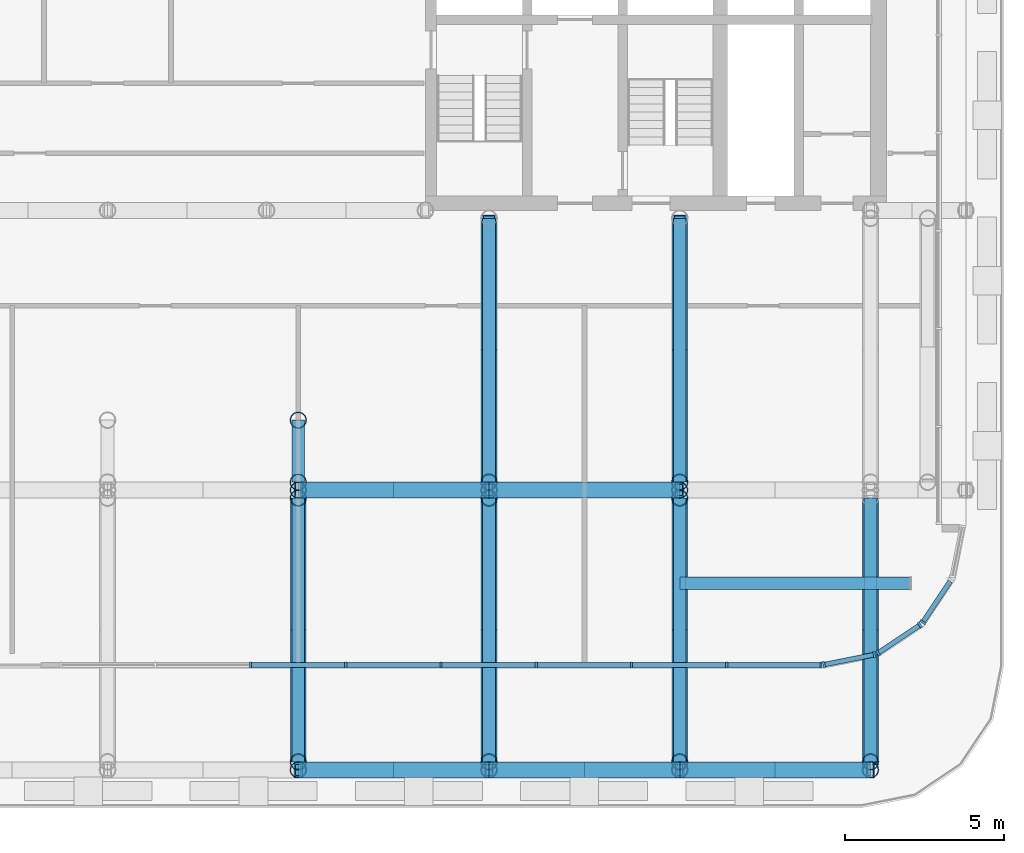
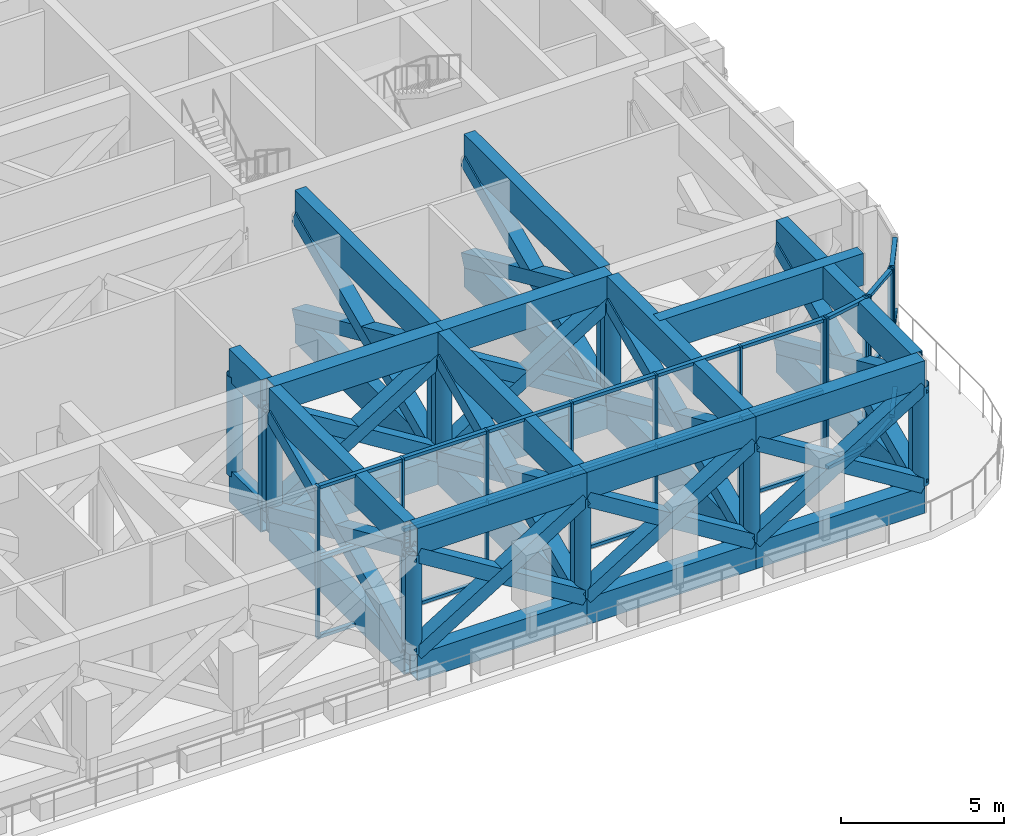
# One storey, part 4 of 20: 79 members, 25 beams, 4 elements without a shape of their own.
"""IFC4 building model written with IfcOpenShell, lengths in metres."""

from ifc_helpers import new_model, si_unit, direction, frame, origin, origin_2d, place, context, subcontext, project, spatial, rectangle, hollow_rectangle, hollow_circle, extrude, material, layer, layer_set, material_profile, profile_set, type_object, element, aggregate, save


model = new_model("IFC4")

# Units and contexts
model_context = context("Model", 3, precision=1e-05, world=origin(), true_north=direction((0.0, 1.0)))
body_context = subcontext(model_context, "Body", "Model", "MODEL_VIEW")
ifc_project = project(units=[si_unit("LENGTHUNIT", "METRE"), si_unit("AREAUNIT", "SQUARE_METRE"), si_unit("VOLUMEUNIT", "CUBIC_METRE"), si_unit("PLANEANGLEUNIT", "RADIAN"), si_unit("MASSUNIT", "GRAM", prefix="KILO")], contexts=[model_context])

# Site, building, storey
site_placement = place(None, origin())
site = spatial("IfcSite", under=ifc_project, at=site_placement, CompositionType="ELEMENT")
building_placement = place(site_placement, origin())
building = spatial("IfcBuilding", under=site, at=building_placement, Name="Torana Hotel and Residences", CompositionType="ELEMENT")
storey_placement = place(building_placement, frame((0.0, 0.0, 177.60009765625)))
storey = spatial("IfcBuildingStorey", under=building, at=storey_placement, Name="L46", CompositionType="ELEMENT", Elevation=177.60009765625)

# Curtain wall, members
ifc_material_1 = material(Name="Dark anodised aluminium", Category="aluminium")
ifc_layer = layer(ifc_material_1, 0.199951171875)
ifc_layer_set = layer_set([ifc_layer], Name="CW2 SKY LOBBY UNITISED CURTAIN WALL")
curtain_wall_type = type_object("IfcCurtainWallType", Name="CW2 SKY LOBBY UNITISED CURTAIN WALL", PredefinedType="NOTDEFINED", material=ifc_layer_set)
curtain_wall_1_placement = place(storey_placement, origin())
curtain_wall_1 = element("IfcCurtainWall", 1, at=curtain_wall_1_placement, inside=storey, type_object=curtain_wall_type, Name="Curtain wall CW2 L46 e0.14-2", PredefinedType="NOTDEFINED")
ifc_material_2 = material(Name="Dark anodised aluminium", Category="aluminium")
ifc_material_profile_1 = material_profile(ifc_material_2, rectangle(XDim=0.199951171875, YDim=0.070068359375, at=origin_2d()), Name="CW2 MULLION 70x200")
ifc_profile_set_1 = profile_set([ifc_material_profile_1], Name="Dark anodised aluminium")
member_type_1 = type_object("IfcMemberType", Name="CW2 MULLION 70x200", PredefinedType="MULLION", material=ifc_profile_set_1)
member_1_placement = place(storey_placement, frame((4.4951171875, -29.300048828125, 0.0), z_axis=(0.0, 0.0, 1.0), x_axis=(0.0, 1.0, 0.0)))
member_1 = element("IfcMember", 2, at=member_1_placement, type_object=member_type_1, Name="CW2 mullion 3", PredefinedType="MULLION", context=body_context, shape_type="SweptSolid", body=[
    extrude(rectangle(XDim=0.199951171875, YDim=0.070068359375, at=origin_2d()), origin(), (0.0, 0.0, 1.0), 5.719970703125),
])
member_2_placement = place(storey_placement, frame((7.49169921875, -29.300048828125, 0.0), z_axis=(0.0, 0.0, 1.0), x_axis=(0.0, 1.0, 0.0)))
member_2 = element("IfcMember", 3, at=member_2_placement, type_object=member_type_1, Name="CW2 mullion 4", PredefinedType="MULLION", context=body_context, shape_type="SweptSolid", body=[
    extrude(rectangle(XDim=0.199951171875, YDim=0.070068359375, at=origin_2d()), origin(), (0.0, 0.0, 1.0), 5.719970703125),
])
member_3_placement = place(storey_placement, frame((10.488525390625, -29.300048828125, 0.0), z_axis=(0.0, 0.0, 1.0), x_axis=(0.0, 1.0, 0.0)))
member_3 = element("IfcMember", 4, at=member_3_placement, type_object=member_type_1, Name="CW2 mullion 5", PredefinedType="MULLION", context=body_context, shape_type="SweptSolid", body=[
    extrude(rectangle(XDim=0.199951171875, YDim=0.070068359375, at=origin_2d()), origin(), (0.0, 0.0, 1.0), 5.719970703125),
])
member_4_placement = place(storey_placement, frame((13.485107421875, -29.300048828125, 0.0), z_axis=(0.0, 0.0, 1.0), x_axis=(0.0, 1.0, 0.0)))
member_4 = element("IfcMember", 5, at=member_4_placement, type_object=member_type_1, Name="CW2 mullion 6", PredefinedType="MULLION", context=body_context, shape_type="SweptSolid", body=[
    extrude(rectangle(XDim=0.199951171875, YDim=0.070068359375, at=origin_2d()), origin(), (0.0, 0.0, 1.0), 5.719970703125),
])
member_5_placement = place(storey_placement, frame((16.48193359375, -29.300048828125, 0.0), z_axis=(0.0, 0.0, 1.0), x_axis=(0.0, 1.0, 0.0)))
member_5 = element("IfcMember", 6, at=member_5_placement, type_object=member_type_1, Name="CW2 mullion 7", PredefinedType="MULLION", context=body_context, shape_type="SweptSolid", body=[
    extrude(rectangle(XDim=0.199951171875, YDim=0.070068359375, at=origin_2d()), origin(), (0.0, 0.0, 1.0), 5.719970703125),
])
member_6_placement = place(storey_placement, frame((19.478759765625, -29.300048828125, 0.0), z_axis=(0.0, 0.0, 1.0), x_axis=(0.0, 1.0, 0.0)))
member_6 = element("IfcMember", 7, at=member_6_placement, type_object=member_type_1, Name="CW2 mullion 8", PredefinedType="MULLION", context=body_context, shape_type="SweptSolid", body=[
    extrude(rectangle(XDim=0.199951171875, YDim=0.070068359375, at=origin_2d()), origin(), (0.0, 0.0, 1.0), 5.719970703125),
])
member_7_placement = place(storey_placement, frame((22.4404296875, -29.300048828125, 0.0), z_axis=(0.0, 0.0, 1.0), x_axis=(0.0, 1.0, 0.0)))
member_7 = element("IfcMember", 8, at=member_7_placement, type_object=member_type_1, Name="CW2 mullion 9", PredefinedType="MULLION", context=body_context, shape_type="SweptSolid", body=[
    extrude(rectangle(XDim=0.199951171875, YDim=0.070068359375, at=origin_2d()), origin(), (0.0, 0.0, 1.0), 5.719970703125),
])

curtain_wall_2_placement = place(storey_placement, origin())
curtain_wall_2 = element("IfcCurtainWall", 9, at=curtain_wall_2_placement, inside=storey, type_object=curtain_wall_type, Name="Curtain wall CW2 L46 e0.15-1", PredefinedType="NOTDEFINED")
member_8_placement = place(storey_placement, frame((22.538818359375, -29.290283203125, 0.0), z_axis=(0.0, 0.0, 1.0), x_axis=(-0.195063848566, 0.980790545928, 0.0)))
member_8 = element("IfcMember", 10, at=member_8_placement, type_object=member_type_1, Name="CW2 mullion 1", PredefinedType="MULLION", context=body_context, shape_type="SweptSolid", body=[
    extrude(rectangle(XDim=0.199951171875, YDim=0.070068359375, at=origin_2d()), origin(), (0.0, 0.0, 1.0), 5.719970703125),
])
member_9_placement = place(storey_placement, frame((24.119384765625, -28.975830078125, 0.0), z_axis=(0.0, 0.0, 1.0), x_axis=(-0.195063848566, 0.980790545928, 0.0)))
member_9 = element("IfcMember", 11, at=member_9_placement, type_object=member_type_1, Name="CW2 mullion 2", PredefinedType="MULLION", context=body_context, shape_type="SweptSolid", body=[
    extrude(rectangle(XDim=0.199951171875, YDim=0.070068359375, at=origin_2d()), origin(), (0.0, 0.0, 1.0), 5.719970703125),
])

curtain_wall_3_placement = place(storey_placement, origin())
curtain_wall_3 = element("IfcCurtainWall", 12, at=curtain_wall_3_placement, inside=storey, type_object=curtain_wall_type, Name="Curtain wall CW2 L46 e0.16-1", PredefinedType="NOTDEFINED")
member_10_placement = place(storey_placement, frame((24.237060546875, -28.92724609375, 0.0), z_axis=(0.0, 0.0, 1.0), x_axis=(-0.555563713278, 0.831473968618, 0.0)))
member_10 = element("IfcMember", 13, at=member_10_placement, type_object=member_type_1, Name="CW2 mullion 1", PredefinedType="MULLION", context=body_context, shape_type="SweptSolid", body=[
    extrude(rectangle(XDim=0.199951171875, YDim=0.070068359375, at=origin_2d()), origin(), (0.0, 0.0, 1.0), 5.719970703125),
])
member_11_placement = place(storey_placement, frame((25.555908203125, -28.0458984375, 0.0), z_axis=(0.0, 0.0, 1.0), x_axis=(-0.555563713278, 0.831473968618, 0.0)))
member_11 = element("IfcMember", 14, at=member_11_placement, type_object=member_type_1, Name="CW2 mullion 2", PredefinedType="MULLION", context=body_context, shape_type="SweptSolid", body=[
    extrude(rectangle(XDim=0.199951171875, YDim=0.070068359375, at=origin_2d()), origin(), (0.0, 0.0, 1.0), 5.719970703125),
])

# Curtain wall, member
curtain_wall_4_placement = place(storey_placement, origin())
curtain_wall_4 = element("IfcCurtainWall", 15, at=curtain_wall_4_placement, inside=storey, type_object=curtain_wall_type, Name="Curtain wall CW2 L46 e0.17-1", PredefinedType="NOTDEFINED")
member_12_placement = place(storey_placement, frame((25.64599609375, -27.9560546875, 0.0), z_axis=(0.0, 0.0, 1.0), x_axis=(-0.831473968618, 0.555563713278, 0.0)))
member_12 = element("IfcMember", 16, at=member_12_placement, type_object=member_type_1, Name="CW2 mullion 1", PredefinedType="MULLION", context=body_context, shape_type="SweptSolid", body=[
    extrude(rectangle(XDim=0.199951171875, YDim=0.070068359375, at=origin_2d()), origin(), (0.0, 0.0, 1.0), 5.719970703125),
])

# Member
ifc_material_3 = material(Name="Dark anodised aluminium", Category="aluminium")
ifc_material_profile_2 = material_profile(ifc_material_3, rectangle(XDim=0.14990234375, YDim=0.1201171875, at=origin_2d()), Name="CW2 TRANSOM 150x120")
ifc_profile_set_2 = profile_set([ifc_material_profile_2], Name="Dark anodised aluminium")
member_type_2 = type_object("IfcMemberType", Name="CW2 TRANSOM 150x120", PredefinedType="USERDEFINED", material=ifc_profile_set_2)
member_13_placement = place(storey_placement, frame((4.530029296875, -29.300048828125, 0.059814453125), z_axis=(1.0, 0.0, 0.0), x_axis=(0.0, 1.0, 0.0)))
member_13 = element("IfcMember", 17, at=member_13_placement, type_object=member_type_2, Name="CW2 transom 3.1", ObjectType="TRANSOM", PredefinedType="USERDEFINED", context=body_context, shape_type="SweptSolid", body=[
    extrude(rectangle(XDim=0.14990234375, YDim=0.1201171875, at=origin_2d()), origin(), (0.0, 0.0, 1.0), 2.9267578125),
])

member_14_placement = place(storey_placement, frame((4.530029296875, -29.300048828125, 3.0), z_axis=(1.0, 0.0, 0.0), x_axis=(0.0, 1.0, 0.0)))
member_14 = element("IfcMember", 18, at=member_14_placement, type_object=member_type_2, Name="CW2 transom 3.2", ObjectType="TRANSOM", PredefinedType="USERDEFINED", context=body_context, shape_type="SweptSolid", body=[
    extrude(rectangle(XDim=0.14990234375, YDim=0.1201171875, at=origin_2d()), origin(), (0.0, 0.0, 1.0), 2.9267578125),
])

member_15_placement = place(storey_placement, frame((4.530029296875, -29.300048828125, 5.659912109375), z_axis=(1.0, 0.0, 0.0), x_axis=(0.0, 1.0, 0.0)))
member_15 = element("IfcMember", 19, at=member_15_placement, type_object=member_type_2, Name="CW2 transom 3.3", ObjectType="TRANSOM", PredefinedType="USERDEFINED", context=body_context, shape_type="SweptSolid", body=[
    extrude(rectangle(XDim=0.14990234375, YDim=0.1201171875, at=origin_2d()), origin(), (0.0, 0.0, 1.0), 2.9267578125),
])

member_16_placement = place(storey_placement, frame((7.52685546875, -29.300048828125, 0.059814453125), z_axis=(1.0, 0.0, 0.0), x_axis=(0.0, 1.0, 0.0)))
member_16 = element("IfcMember", 20, at=member_16_placement, type_object=member_type_2, Name="CW2 transom 4.1", ObjectType="TRANSOM", PredefinedType="USERDEFINED", context=body_context, shape_type="SweptSolid", body=[
    extrude(rectangle(XDim=0.14990234375, YDim=0.1201171875, at=origin_2d()), origin(), (0.0, 0.0, 1.0), 2.9267578125),
])

member_17_placement = place(storey_placement, frame((7.52685546875, -29.300048828125, 3.0), z_axis=(1.0, 0.0, 0.0), x_axis=(0.0, 1.0, 0.0)))
member_17 = element("IfcMember", 21, at=member_17_placement, type_object=member_type_2, Name="CW2 transom 4.2", ObjectType="TRANSOM", PredefinedType="USERDEFINED", context=body_context, shape_type="SweptSolid", body=[
    extrude(rectangle(XDim=0.14990234375, YDim=0.1201171875, at=origin_2d()), origin(), (0.0, 0.0, 1.0), 2.9267578125),
])

member_18_placement = place(storey_placement, frame((7.52685546875, -29.300048828125, 5.659912109375), z_axis=(1.0, 0.0, 0.0), x_axis=(0.0, 1.0, 0.0)))
member_18 = element("IfcMember", 22, at=member_18_placement, type_object=member_type_2, Name="CW2 transom 4.3", ObjectType="TRANSOM", PredefinedType="USERDEFINED", context=body_context, shape_type="SweptSolid", body=[
    extrude(rectangle(XDim=0.14990234375, YDim=0.1201171875, at=origin_2d()), origin(), (0.0, 0.0, 1.0), 2.9267578125),
])

member_19_placement = place(storey_placement, frame((10.5234375, -29.300048828125, 0.059814453125), z_axis=(1.0, 0.0, 0.0), x_axis=(0.0, 1.0, 0.0)))
member_19 = element("IfcMember", 23, at=member_19_placement, type_object=member_type_2, Name="CW2 transom 5.1", ObjectType="TRANSOM", PredefinedType="USERDEFINED", context=body_context, shape_type="SweptSolid", body=[
    extrude(rectangle(XDim=0.14990234375, YDim=0.1201171875, at=origin_2d()), origin(), (0.0, 0.0, 1.0), 2.9267578125),
])

member_20_placement = place(storey_placement, frame((10.5234375, -29.300048828125, 3.0), z_axis=(1.0, 0.0, 0.0), x_axis=(0.0, 1.0, 0.0)))
member_20 = element("IfcMember", 24, at=member_20_placement, type_object=member_type_2, Name="CW2 transom 5.2", ObjectType="TRANSOM", PredefinedType="USERDEFINED", context=body_context, shape_type="SweptSolid", body=[
    extrude(rectangle(XDim=0.14990234375, YDim=0.1201171875, at=origin_2d()), origin(), (0.0, 0.0, 1.0), 2.9267578125),
])

member_21_placement = place(storey_placement, frame((10.5234375, -29.300048828125, 5.659912109375), z_axis=(1.0, 0.0, 0.0), x_axis=(0.0, 1.0, 0.0)))
member_21 = element("IfcMember", 25, at=member_21_placement, type_object=member_type_2, Name="CW2 transom 5.3", ObjectType="TRANSOM", PredefinedType="USERDEFINED", context=body_context, shape_type="SweptSolid", body=[
    extrude(rectangle(XDim=0.14990234375, YDim=0.1201171875, at=origin_2d()), origin(), (0.0, 0.0, 1.0), 2.9267578125),
])

member_22_placement = place(storey_placement, frame((13.520263671875, -29.300048828125, 0.059814453125), z_axis=(1.0, 0.0, 0.0), x_axis=(0.0, 1.0, 0.0)))
member_22 = element("IfcMember", 26, at=member_22_placement, type_object=member_type_2, Name="CW2 transom 6.1", ObjectType="TRANSOM", PredefinedType="USERDEFINED", context=body_context, shape_type="SweptSolid", body=[
    extrude(rectangle(XDim=0.14990234375, YDim=0.1201171875, at=origin_2d()), origin(), (0.0, 0.0, 1.0), 2.9267578125),
])

member_23_placement = place(storey_placement, frame((13.520263671875, -29.300048828125, 3.0), z_axis=(1.0, 0.0, 0.0), x_axis=(0.0, 1.0, 0.0)))
member_23 = element("IfcMember", 27, at=member_23_placement, type_object=member_type_2, Name="CW2 transom 6.2", ObjectType="TRANSOM", PredefinedType="USERDEFINED", context=body_context, shape_type="SweptSolid", body=[
    extrude(rectangle(XDim=0.14990234375, YDim=0.1201171875, at=origin_2d()), origin(), (0.0, 0.0, 1.0), 2.9267578125),
])

member_24_placement = place(storey_placement, frame((13.520263671875, -29.300048828125, 5.659912109375), z_axis=(1.0, 0.0, 0.0), x_axis=(0.0, 1.0, 0.0)))
member_24 = element("IfcMember", 28, at=member_24_placement, type_object=member_type_2, Name="CW2 transom 6.3", ObjectType="TRANSOM", PredefinedType="USERDEFINED", context=body_context, shape_type="SweptSolid", body=[
    extrude(rectangle(XDim=0.14990234375, YDim=0.1201171875, at=origin_2d()), origin(), (0.0, 0.0, 1.0), 2.9267578125),
])

member_25_placement = place(storey_placement, frame((16.516845703125, -29.300048828125, 0.059814453125), z_axis=(1.0, 0.0, 0.0), x_axis=(0.0, 1.0, 0.0)))
member_25 = element("IfcMember", 29, at=member_25_placement, type_object=member_type_2, Name="CW2 transom 7.1", ObjectType="TRANSOM", PredefinedType="USERDEFINED", context=body_context, shape_type="SweptSolid", body=[
    extrude(rectangle(XDim=0.14990234375, YDim=0.1201171875, at=origin_2d()), origin(), (0.0, 0.0, 1.0), 2.9267578125),
])

member_26_placement = place(storey_placement, frame((16.516845703125, -29.300048828125, 3.0), z_axis=(1.0, 0.0, 0.0), x_axis=(0.0, 1.0, 0.0)))
member_26 = element("IfcMember", 30, at=member_26_placement, type_object=member_type_2, Name="CW2 transom 7.2", ObjectType="TRANSOM", PredefinedType="USERDEFINED", context=body_context, shape_type="SweptSolid", body=[
    extrude(rectangle(XDim=0.14990234375, YDim=0.1201171875, at=origin_2d()), origin(), (0.0, 0.0, 1.0), 2.9267578125),
])

member_27_placement = place(storey_placement, frame((16.516845703125, -29.300048828125, 5.659912109375), z_axis=(1.0, 0.0, 0.0), x_axis=(0.0, 1.0, 0.0)))
member_27 = element("IfcMember", 31, at=member_27_placement, type_object=member_type_2, Name="CW2 transom 7.3", ObjectType="TRANSOM", PredefinedType="USERDEFINED", context=body_context, shape_type="SweptSolid", body=[
    extrude(rectangle(XDim=0.14990234375, YDim=0.1201171875, at=origin_2d()), origin(), (0.0, 0.0, 1.0), 2.9267578125),
])

member_28_placement = place(storey_placement, frame((19.513671875, -29.300048828125, 0.059814453125), z_axis=(1.0, 0.0, 0.0), x_axis=(0.0, 1.0, 0.0)))
member_28 = element("IfcMember", 32, at=member_28_placement, type_object=member_type_2, Name="CW2 transom 8.1", ObjectType="TRANSOM", PredefinedType="USERDEFINED", context=body_context, shape_type="SweptSolid", body=[
    extrude(rectangle(XDim=0.14990234375, YDim=0.1201171875, at=origin_2d()), origin(), (0.0, 0.0, 1.0), 2.891845703125),
])

member_29_placement = place(storey_placement, frame((19.513671875, -29.300048828125, 3.0), z_axis=(1.0, 0.0, 0.0), x_axis=(0.0, 1.0, 0.0)))
member_29 = element("IfcMember", 33, at=member_29_placement, type_object=member_type_2, Name="CW2 transom 8.2", ObjectType="TRANSOM", PredefinedType="USERDEFINED", context=body_context, shape_type="SweptSolid", body=[
    extrude(rectangle(XDim=0.14990234375, YDim=0.1201171875, at=origin_2d()), origin(), (0.0, 0.0, 1.0), 2.891845703125),
])

member_30_placement = place(storey_placement, frame((19.513671875, -29.300048828125, 5.659912109375), z_axis=(1.0, 0.0, 0.0), x_axis=(0.0, 1.0, 0.0)))
member_30 = element("IfcMember", 34, at=member_30_placement, type_object=member_type_2, Name="CW2 transom 8.3", ObjectType="TRANSOM", PredefinedType="USERDEFINED", context=body_context, shape_type="SweptSolid", body=[
    extrude(rectangle(XDim=0.14990234375, YDim=0.1201171875, at=origin_2d()), origin(), (0.0, 0.0, 1.0), 2.891845703125),
])

aggregate(curtain_wall_1, [member_1, member_2, member_3, member_4, member_5, member_6, member_7, member_13, member_14, member_15, member_16, member_17, member_18, member_19, member_20, member_21, member_22, member_23, member_24, member_25, member_26, member_27, member_28, member_29, member_30])

member_31_placement = place(storey_placement, frame((22.5732421875, -29.283447265625, 0.059814453125), z_axis=(0.980781167848, 0.19511099609, 0.0), x_axis=(-0.19511099609, 0.980781167848, 0.0)))
member_31 = element("IfcMember", 35, at=member_31_placement, type_object=member_type_2, Name="CW2 transom 1.1", ObjectType="TRANSOM", PredefinedType="USERDEFINED", context=body_context, shape_type="SweptSolid", body=[
    extrude(rectangle(XDim=0.14990234375, YDim=0.1201171875, at=origin_2d()), origin(), (0.0, 0.0, 1.0), 1.54150390625),
])

member_32_placement = place(storey_placement, frame((22.5732421875, -29.283447265625, 3.0), z_axis=(0.980781167848, 0.19511099609, 0.0), x_axis=(-0.19511099609, 0.980781167848, 0.0)))
member_32 = element("IfcMember", 36, at=member_32_placement, type_object=member_type_2, Name="CW2 transom 1.2", ObjectType="TRANSOM", PredefinedType="USERDEFINED", context=body_context, shape_type="SweptSolid", body=[
    extrude(rectangle(XDim=0.14990234375, YDim=0.1201171875, at=origin_2d()), origin(), (0.0, 0.0, 1.0), 1.54150390625),
])

member_33_placement = place(storey_placement, frame((22.5732421875, -29.283447265625, 5.659912109375), z_axis=(0.980781167848, 0.19511099609, 0.0), x_axis=(-0.19511099609, 0.980781167848, 0.0)))
member_33 = element("IfcMember", 37, at=member_33_placement, type_object=member_type_2, Name="CW2 transom 1.3", ObjectType="TRANSOM", PredefinedType="USERDEFINED", context=body_context, shape_type="SweptSolid", body=[
    extrude(rectangle(XDim=0.14990234375, YDim=0.1201171875, at=origin_2d()), origin(), (0.0, 0.0, 1.0), 1.54150390625),
])

aggregate(curtain_wall_2, [member_8, member_9, member_31, member_32, member_33])

member_34_placement = place(storey_placement, frame((24.26611328125, -28.90771484375, 0.059814453125), z_axis=(0.83150490354, 0.555517412319, 0.0), x_axis=(-0.555517412319, 0.83150490354, 0.0)))
member_34 = element("IfcMember", 38, at=member_34_placement, type_object=member_type_2, Name="CW2 transom 1.1", ObjectType="TRANSOM", PredefinedType="USERDEFINED", context=body_context, shape_type="SweptSolid", body=[
    extrude(rectangle(XDim=0.14990234375, YDim=0.1201171875, at=origin_2d()), origin(), (0.0, 0.0, 1.0), 1.51611328125),
])

member_35_placement = place(storey_placement, frame((24.26611328125, -28.90771484375, 3.0), z_axis=(0.83150490354, 0.555517412319, 0.0), x_axis=(-0.555517412319, 0.83150490354, 0.0)))
member_35 = element("IfcMember", 39, at=member_35_placement, type_object=member_type_2, Name="CW2 transom 1.2", ObjectType="TRANSOM", PredefinedType="USERDEFINED", context=body_context, shape_type="SweptSolid", body=[
    extrude(rectangle(XDim=0.14990234375, YDim=0.1201171875, at=origin_2d()), origin(), (0.0, 0.0, 1.0), 1.51611328125),
])

member_36_placement = place(storey_placement, frame((24.26611328125, -28.90771484375, 5.659912109375), z_axis=(0.83150490354, 0.555517412319, 0.0), x_axis=(-0.555517412319, 0.83150490354, 0.0)))
member_36 = element("IfcMember", 40, at=member_36_placement, type_object=member_type_2, Name="CW2 transom 1.3", ObjectType="TRANSOM", PredefinedType="USERDEFINED", context=body_context, shape_type="SweptSolid", body=[
    extrude(rectangle(XDim=0.14990234375, YDim=0.1201171875, at=origin_2d()), origin(), (0.0, 0.0, 1.0), 1.51611328125),
])

aggregate(curtain_wall_3, [member_10, member_11, member_34, member_35, member_36])

member_37_placement = place(storey_placement, frame((25.665283203125, -27.927001953125, 0.059814453125), z_axis=(0.555554355081, 0.831480221383, 0.0), x_axis=(-0.831480221383, 0.555554355081, 0.0)))
member_37 = element("IfcMember", 41, at=member_37_placement, type_object=member_type_2, Name="CW2 transom 1.1", ObjectType="TRANSOM", PredefinedType="USERDEFINED", context=body_context, shape_type="SweptSolid", body=[
    extrude(rectangle(XDim=0.14990234375, YDim=0.1201171875, at=origin_2d()), origin(), (0.0, 0.0, 1.0), 1.5166015625),
])

member_38_placement = place(storey_placement, frame((25.665283203125, -27.927001953125, 3.0), z_axis=(0.555554355081, 0.831480221383, 0.0), x_axis=(-0.831480221383, 0.555554355081, 0.0)))
member_38 = element("IfcMember", 42, at=member_38_placement, type_object=member_type_2, Name="CW2 transom 1.2", ObjectType="TRANSOM", PredefinedType="USERDEFINED", context=body_context, shape_type="SweptSolid", body=[
    extrude(rectangle(XDim=0.14990234375, YDim=0.1201171875, at=origin_2d()), origin(), (0.0, 0.0, 1.0), 1.5166015625),
])

member_39_placement = place(storey_placement, frame((25.665283203125, -27.927001953125, 5.659912109375), z_axis=(0.555554355081, 0.831480221383, 0.0), x_axis=(-0.831480221383, 0.555554355081, 0.0)))
member_39 = element("IfcMember", 43, at=member_39_placement, type_object=member_type_2, Name="CW2 transom 1.3", ObjectType="TRANSOM", PredefinedType="USERDEFINED", context=body_context, shape_type="SweptSolid", body=[
    extrude(rectangle(XDim=0.14990234375, YDim=0.1201171875, at=origin_2d()), origin(), (0.0, 0.0, 1.0), 1.5166015625),
])

aggregate(curtain_wall_4, [member_12, member_37, member_38, member_39])

# Beams
ifc_material_4 = material(Name="Steel S355", Category="steel")
ifc_material_profile_3 = material_profile(ifc_material_4, hollow_rectangle(XDim=0.5, YDim=1.0, WallThickness=0.050048828125, at=origin_2d()), Name="BOX 1000x500x50")
ifc_profile_set_3 = profile_set([ifc_material_profile_3], Name="Steel S355")
beam_type_1 = type_object("IfcBeamType", Name="STEEL CHORD BOX 1000x500x50", PredefinedType="BEAM", material=ifc_profile_set_3)
for number, where, z_axis, x_axis, name in (
    (44, (6.0, -32.60009765625, 0.5), (1.0, 0.0, 0.0), (0.0, 1.0, 0.0), "Transfer chord L46"),
    (45, (6.0, -32.60009765625, 5.219970703125), (1.0, 0.0, 0.0), (0.0, 1.0, 0.0), "Transfer chord L46"),
    (46, (12.0, -32.60009765625, 0.5), (1.0, 0.0, 0.0), (0.0, 1.0, 0.0), "Transfer chord L46"),
    (47, (12.0, -32.60009765625, 5.219970703125), (1.0, 0.0, 0.0), (0.0, 1.0, 0.0), "Transfer chord L46"),
    (48, (18.0, -32.60009765625, 0.5), (1.0, 0.0, 0.0), (0.0, 1.0, 0.0), "Transfer chord L46"),
    (49, (18.0, -32.60009765625, 5.219970703125), (1.0, 0.0, 0.0), (0.0, 1.0, 0.0), "Transfer chord L46"),
    (50, (6.0, -23.800048828125, 0.5), (1.0, 0.0, 0.0), (0.0, 1.0, 0.0), "Transfer chord L46"),
    (51, (6.0, -23.800048828125, 5.219970703125), (1.0, 0.0, 0.0), (0.0, 1.0, 0.0), "Transfer chord L46"),
    (52, (12.0, -23.800048828125, 0.5), (1.0, 0.0, 0.0), (0.0, 1.0, 0.0), "Transfer chord L46"),
    (53, (12.0, -23.800048828125, 5.219970703125), (1.0, 0.0, 0.0), (0.0, 1.0, 0.0), "Transfer chord L46"),
):
    element("IfcBeam", number, at=place(storey_placement, frame(where, z_axis=z_axis, x_axis=x_axis)), inside=storey, type_object=beam_type_1, Name=name, PredefinedType="BEAM", context=body_context, shape_type="SweptSolid", body=[
        extrude(hollow_rectangle(XDim=0.5, YDim=1.0, WallThickness=0.050048828125, at=origin_2d()), origin(), (0.0, 0.0, 1.0), 6.0),
    ])
ifc_material_5 = material(Name="Steel S355", Category="steel")
ifc_material_profile_4 = material_profile(ifc_material_5, hollow_rectangle(XDim=0.39990234375, YDim=1.199951171875, WallThickness=0.0400390625, at=origin_2d()), Name="BOX 1200x400x40")
ifc_profile_set_4 = profile_set([ifc_material_profile_4], Name="Steel S355")
beam_type_2 = type_object("IfcBeamType", Name="STEEL CHORD BOX 1200x400x40", PredefinedType="BEAM", material=ifc_profile_set_4)
for number, where, z_axis, x_axis, name in (
    (54, (6.0, -32.35009765625, 0.599853515625), (0.0, 1.0, 0.0), (-1.0, 0.0, 0.0), "Transfer chord L46"),
    (55, (6.0, -32.35009765625, 5.119873046875), (0.0, 1.0, 0.0), (-1.0, 0.0, 0.0), "Transfer chord L46"),
):
    element("IfcBeam", number, at=place(storey_placement, frame(where, z_axis=z_axis, x_axis=x_axis)), inside=storey, type_object=beam_type_2, Name=name, PredefinedType="BEAM", context=body_context, shape_type="SweptSolid", body=[
        extrude(hollow_rectangle(XDim=0.39990234375, YDim=1.199951171875, WallThickness=0.0400390625, at=origin_2d()), origin(), (0.0, 0.0, 1.0), 8.300048828125),
    ])
for number, where, z_axis, x_axis, name in (
    (56, (6.0, -23.550048828125, 0.599853515625), (0.0, 1.0, 0.0), (-1.0, 0.0, 0.0), "Transfer chord L46"),
    (57, (6.0, -23.550048828125, 5.119873046875), (0.0, 1.0, 0.0), (-1.0, 0.0, 0.0), "Transfer chord L46"),
):
    element("IfcBeam", number, at=place(storey_placement, frame(where, z_axis=z_axis, x_axis=x_axis)), inside=storey, type_object=beam_type_2, Name=name, PredefinedType="BEAM", context=body_context, shape_type="SweptSolid", body=[
        extrude(hollow_rectangle(XDim=0.39990234375, YDim=1.199951171875, WallThickness=0.0400390625, at=origin_2d()), origin(), (0.0, 0.0, 1.0), 1.949951171875),
    ])
for number, where, z_axis, x_axis, name in (
    (58, (12.0, -32.35009765625, 0.599853515625), (0.0, 1.0, 0.0), (-1.0, 0.0, 0.0), "Transfer chord L46"),
    (59, (12.0, -32.35009765625, 5.119873046875), (0.0, 1.0, 0.0), (-1.0, 0.0, 0.0), "Transfer chord L46"),
    (60, (12.0, -23.550048828125, 0.599853515625), (0.0, 1.0, 0.0), (-1.0, 0.0, 0.0), "Transfer chord L46"),
    (61, (12.0, -23.550048828125, 5.119873046875), (0.0, 1.0, 0.0), (-1.0, 0.0, 0.0), "Transfer chord L46"),
    (62, (18.0, -32.35009765625, 0.599853515625), (0.0, 1.0, 0.0), (-1.0, 0.0, 0.0), "Transfer chord L46"),
    (63, (18.0, -32.35009765625, 5.119873046875), (0.0, 1.0, 0.0), (-1.0, 0.0, 0.0), "Transfer chord L46"),
    (64, (18.0, -23.550048828125, 0.599853515625), (0.0, 1.0, 0.0), (-1.0, 0.0, 0.0), "Transfer chord L46"),
    (65, (18.0, -23.550048828125, 5.119873046875), (0.0, 1.0, 0.0), (-1.0, 0.0, 0.0), "Transfer chord L46"),
    (66, (24.0, -32.35009765625, 0.599853515625), (0.0, 1.0, 0.0), (-1.0, 0.0, 0.0), "Transfer chord L46"),
    (67, (24.0, -32.35009765625, 5.119873046875), (0.0, 1.0, 0.0), (-1.0, 0.0, 0.0), "Transfer chord L46"),
):
    element("IfcBeam", number, at=place(storey_placement, frame(where, z_axis=z_axis, x_axis=x_axis)), inside=storey, type_object=beam_type_2, Name=name, PredefinedType="BEAM", context=body_context, shape_type="SweptSolid", body=[
        extrude(hollow_rectangle(XDim=0.39990234375, YDim=1.199951171875, WallThickness=0.0400390625, at=origin_2d()), origin(), (0.0, 0.0, 1.0), 8.300048828125),
    ])
beam_placement = place(storey_placement, frame((25.239990234375, -26.72998046875, 5.119873046875), z_axis=(-1.0, 0.0, 0.0), x_axis=(0.0, -1.0, 0.0)))
element("IfcBeam", 68, at=beam_placement, inside=storey, type_object=beam_type_2, Name="Transfer link L46", PredefinedType="BEAM", context=body_context, shape_type="SweptSolid", body=[
    extrude(hollow_rectangle(XDim=0.39990234375, YDim=1.199951171875, WallThickness=0.0400390625, at=origin_2d()), origin(), (0.0, 0.0, 1.0), 7.239990234375),
])

# Members
ifc_material_6 = material(Name="Steel S355", Category="steel")
ifc_material_profile_5 = material_profile(ifc_material_6, hollow_rectangle(XDim=0.5, YDim=0.5, WallThickness=0.080078125, at=origin_2d()), Name="BOX 500x500x80")
ifc_profile_set_5 = profile_set([ifc_material_profile_5], Name="Steel S355")
member_type_3 = type_object("IfcMemberType", Name="STEEL DIAGONAL BOX 500x500x80", PredefinedType="BRACE", material=ifc_profile_set_5)
for number, where, z_axis, x_axis, name in (
    (69, (6.0, -32.60009765625, 1.0), (0.84990455024, 0.0, 0.526936671224), (0.0, 1.0, 0.0), "Truss diagonal L46"),
    (70, (12.0, -32.60009765625, 1.0), (-0.84990455024, 0.0, 0.526936671224), (0.0, -1.0, 0.0), "Truss diagonal L46"),
    (71, (12.0, -32.60009765625, 1.0), (0.84990455024, 0.0, 0.526936671224), (0.0, 1.0, 0.0), "Truss diagonal L46"),
    (72, (18.0, -32.60009765625, 1.0), (-0.84990455024, 0.0, 0.526936671224), (0.0, -1.0, 0.0), "Truss diagonal L46"),
    (73, (18.0, -32.60009765625, 1.0), (0.84990455024, 0.0, 0.526936671224), (0.0, 1.0, 0.0), "Truss diagonal L46"),
    (74, (24.0, -32.60009765625, 1.0), (-0.84990455024, 0.0, 0.526936671224), (0.0, -1.0, 0.0), "Truss diagonal L46"),
    (75, (6.0, -23.800048828125, 1.0), (0.84990455024, 0.0, 0.526936671224), (0.0, 1.0, 0.0), "Truss diagonal L46"),
    (76, (12.0, -23.800048828125, 1.0), (-0.84990455024, 0.0, 0.526936671224), (0.0, -1.0, 0.0), "Truss diagonal L46"),
    (77, (12.0, -23.800048828125, 1.0), (0.84990455024, 0.0, 0.526936671224), (0.0, 1.0, 0.0), "Truss diagonal L46"),
    (78, (18.0, -23.800048828125, 1.0), (-0.84990455024, 0.0, 0.526936671224), (0.0, -1.0, 0.0), "Truss diagonal L46"),
):
    element("IfcMember", number, at=place(storey_placement, frame(where, z_axis=z_axis, x_axis=x_axis)), inside=storey, type_object=member_type_3, Name=name, PredefinedType="BRACE", context=body_context, shape_type="SweptSolid", body=[
        extrude(hollow_rectangle(XDim=0.5, YDim=0.5, WallThickness=0.080078125, at=origin_2d()), origin(), (0.0, 0.0, 1.0), 7.0595703125),
    ])
for number, where, z_axis, x_axis, name in (
    (79, (6.0, -32.35009765625, 1.0), (0.0, 0.912539724952, 0.408988080981), (-1.0, 0.0, 0.0), "Truss diagonal L46"),
    (80, (6.0, -24.050048828125, 1.0), (0.0, -0.912539724952, 0.408988080981), (1.0, 0.0, 0.0), "Truss diagonal L46"),
    (81, (12.0, -32.35009765625, 1.0), (0.0, 0.912539724952, 0.408988080981), (-1.0, 0.0, 0.0), "Truss diagonal L46"),
    (82, (12.0, -24.050048828125, 1.0), (0.0, -0.912539724952, 0.408988080981), (1.0, 0.0, 0.0), "Truss diagonal L46"),
    (83, (12.0, -23.550048828125, 1.0), (0.0, 0.912539724952, 0.408988080981), (-1.0, 0.0, 0.0), "Truss diagonal L46"),
    (84, (12.0, -15.25, 1.0), (0.0, -0.912539724952, 0.408988080981), (1.0, 0.0, 0.0), "Truss diagonal L46"),
    (85, (18.0, -32.35009765625, 1.0), (0.0, 0.912539724952, 0.408988080981), (-1.0, 0.0, 0.0), "Truss diagonal L46"),
    (86, (18.0, -24.050048828125, 1.0), (0.0, -0.912539724952, 0.408988080981), (1.0, 0.0, 0.0), "Truss diagonal L46"),
    (87, (18.0, -23.550048828125, 1.0), (0.0, 0.912539724952, 0.408988080981), (-1.0, 0.0, 0.0), "Truss diagonal L46"),
    (88, (18.0, -15.25, 1.0), (0.0, -0.912539724952, 0.408988080981), (1.0, 0.0, 0.0), "Truss diagonal L46"),
    (89, (24.0, -32.35009765625, 1.0), (0.0, 0.912539724952, 0.408988080981), (-1.0, 0.0, 0.0), "Truss diagonal L46"),
    (90, (24.0, -24.050048828125, 1.0), (0.0, -0.912539724952, 0.408988080981), (1.0, 0.0, 0.0), "Truss diagonal L46"),
):
    element("IfcMember", number, at=place(storey_placement, frame(where, z_axis=z_axis, x_axis=x_axis)), inside=storey, type_object=member_type_3, Name=name, PredefinedType="BRACE", context=body_context, shape_type="SweptSolid", body=[
        extrude(hollow_rectangle(XDim=0.5, YDim=0.5, WallThickness=0.080078125, at=origin_2d()), origin(), (0.0, 0.0, 1.0), 9.095458984375),
    ])
ifc_material_7 = material(Name="Steel S355", Category="steel")
ifc_material_profile_6 = material_profile(ifc_material_7, hollow_circle(Radius=0.25390625, WallThickness=0.01611328125, at=origin_2d()), Name="508x16 CHS")
ifc_profile_set_6 = profile_set([ifc_material_profile_6], Name="Steel S355")
member_type_4 = type_object("IfcMemberType", Name="STEEL POST 508x16 CHS", PredefinedType="POST", material=ifc_profile_set_6)
for number, where, z_axis, x_axis, name in (
    (91, (6.0, -32.60009765625, 1.0), (0.0, 0.0, 1.0), (1.0, 0.0, 0.0), "Truss post L46"),
    (92, (12.0, -32.60009765625, 1.0), (0.0, 0.0, 1.0), (1.0, 0.0, 0.0), "Truss post L46"),
    (93, (18.0, -32.60009765625, 1.0), (0.0, 0.0, 1.0), (1.0, 0.0, 0.0), "Truss post L46"),
    (94, (24.0, -32.60009765625, 1.0), (0.0, 0.0, 1.0), (1.0, 0.0, 0.0), "Truss post L46"),
    (95, (6.0, -23.800048828125, 1.0), (0.0, 0.0, 1.0), (1.0, 0.0, 0.0), "Truss post L46"),
    (96, (12.0, -23.800048828125, 1.0), (0.0, 0.0, 1.0), (1.0, 0.0, 0.0), "Truss post L46"),
    (97, (18.0, -23.800048828125, 1.0), (0.0, 0.0, 1.0), (1.0, 0.0, 0.0), "Truss post L46"),
    (98, (6.0, -32.35009765625, 1.0), (0.0, 0.0, 1.0), (1.0, 0.0, 0.0), "Truss post L46"),
    (99, (6.0, -24.050048828125, 1.0), (0.0, 0.0, 1.0), (1.0, 0.0, 0.0), "Truss post L46"),
    (100, (6.0, -23.550048828125, 1.0), (0.0, 0.0, 1.0), (1.0, 0.0, 0.0), "Truss post L46"),
    (101, (6.0, -21.60009765625, 1.0), (0.0, 0.0, 1.0), (1.0, 0.0, 0.0), "Truss post L46"),
    (102, (12.0, -32.35009765625, 1.0), (0.0, 0.0, 1.0), (1.0, 0.0, 0.0), "Truss post L46"),
    (103, (12.0, -24.050048828125, 1.0), (0.0, 0.0, 1.0), (1.0, 0.0, 0.0), "Truss post L46"),
    (104, (12.0, -23.550048828125, 1.0), (0.0, 0.0, 1.0), (1.0, 0.0, 0.0), "Truss post L46"),
    (105, (18.0, -32.35009765625, 1.0), (0.0, 0.0, 1.0), (1.0, 0.0, 0.0), "Truss post L46"),
    (106, (18.0, -24.050048828125, 1.0), (0.0, 0.0, 1.0), (1.0, 0.0, 0.0), "Truss post L46"),
    (107, (18.0, -23.550048828125, 1.0), (0.0, 0.0, 1.0), (1.0, 0.0, 0.0), "Truss post L46"),
    (108, (24.0, -32.35009765625, 1.0), (0.0, 0.0, 1.0), (1.0, 0.0, 0.0), "Truss post L46"),
):
    element("IfcMember", number, at=place(storey_placement, frame(where, z_axis=z_axis, x_axis=x_axis)), inside=storey, type_object=member_type_4, Name=name, PredefinedType="POST", context=body_context, shape_type="SweptSolid", body=[
        extrude(hollow_circle(Radius=0.25390625, WallThickness=0.01611328125, at=origin_2d()), origin(), (0.0, 0.0, 1.0), 3.719970703125),
    ])

save(model, "model.ifc")
